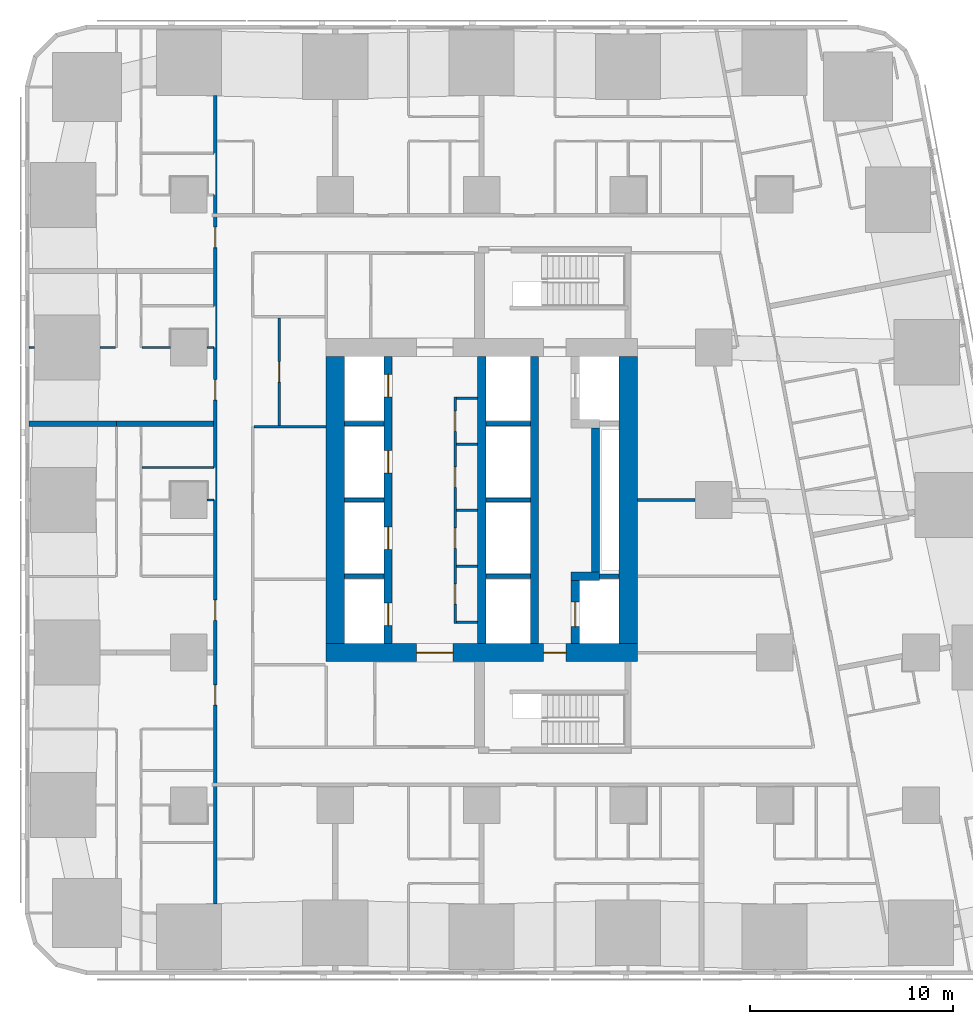
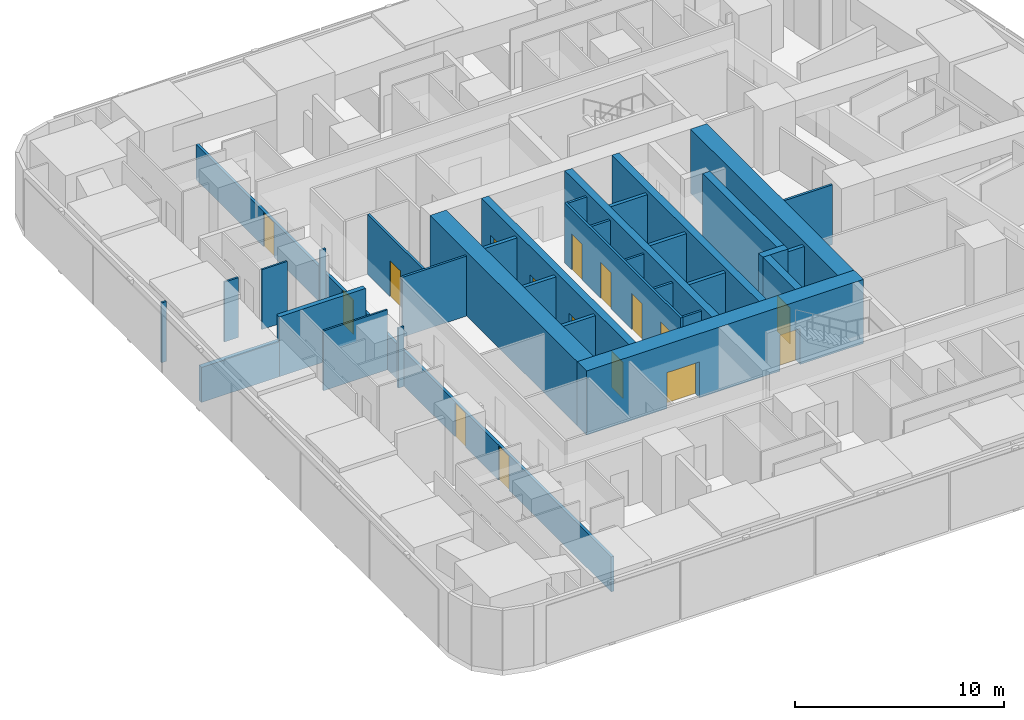
# One storey, part 7 of 18: 34 walls, 16 doors, 16 openings.
"""IFC4 building model written with IfcOpenShell, lengths in metres."""

import ifcopenshell
import ifcopenshell.guid

model = None  # the IFC model being written
_history = None  # IfcOwnerHistory: only IFC2X3 demands one
_inside = {}  # id of a spatial element -> (the spatial element, [elements in it])
_under = {}  # id of a project, library or spatial element -> (it, [spatial elements below it])
_declared = {}  # id of a project -> (the project, [libraries it declares])
_typed = {}  # id of a type object -> (the type object, [elements of that type])
_made_of = {}  # id of a material, layer set ... -> (it, [elements and type objects made of it])


def new_model(schema):
    """Start an empty IFC model of exactly this schema.

    Asked for "IFC4X3", IfcOpenShell would pick the latest addendum, in which some entities
    have other attributes; the version numbers below select the first issue.
    IFC2X3 requires an IfcOwnerHistory on every rooted entity: one is made here for all.
    """
    global model, _history
    if schema == "IFC4X3":
        model = ifcopenshell.file(schema_version=(4, 3, 0, 0))
    else:
        model = ifcopenshell.file(schema=schema)
    _inside.clear()
    _under.clear()
    _declared.clear()
    _typed.clear()
    _made_of.clear()
    _history = None
    if model.schema == "IFC2X3":
        org = make("IfcOrganization", Name="unknown")
        user = make(
            "IfcPersonAndOrganization",
            ThePerson=make("IfcPerson", FamilyName="unknown"),
            TheOrganization=org,
        )
        app = make(
            "IfcApplication",
            ApplicationDeveloper=org,
            Version="unknown",
            ApplicationFullName="unknown",
            ApplicationIdentifier="unknown",
        )
        _history = make(
            "IfcOwnerHistory",
            OwningUser=user,
            OwningApplication=app,
            ChangeAction="ADDED",
            CreationDate=0,
        )
    return model


def make(cls, **values):
    """One entity of the class cls with the attributes given. An attribute that is None is left unset."""
    return model.create_entity(
        cls, **{name: value for name, value in values.items() if value is not None}
    )


def rooted(cls, **values):
    """An entity with a GlobalId (a new one), such as an element, a storey or a relation."""
    return make(cls, GlobalId=ifcopenshell.guid.new(), OwnerHistory=_history, **values)


def si_unit(unit_type, name, prefix=None):
    """IfcSIUnit, for example si_unit("LENGTHUNIT", "METRE", prefix="MILLI")."""
    return make("IfcSIUnit", UnitType=unit_type, Prefix=prefix, Name=name)


def assignment(units):
    """IfcUnitAssignment: the units of a project."""
    return None if units is None else make("IfcUnitAssignment", Units=units)


def point(xyz):
    """IfcCartesianPoint."""
    return None if xyz is None else make("IfcCartesianPoint", Coordinates=xyz)


def direction(xyz):
    """IfcDirection."""
    return None if xyz is None else make("IfcDirection", DirectionRatios=xyz)


def frame(location, z_axis=None, x_axis=None):
    """IfcAxis2Placement3D, a coordinate frame: its origin and axes. An axis left out is left unset."""
    return make(
        "IfcAxis2Placement3D",
        Location=point(location),
        Axis=direction(z_axis),
        RefDirection=direction(x_axis),
    )


def frame_2d(location, x_axis=None):
    """IfcAxis2Placement2D, a coordinate frame in the plane: its origin and x axis."""
    return make(
        "IfcAxis2Placement2D", Location=point(location), RefDirection=direction(x_axis)
    )


def origin():
    """The frame at (0, 0, 0) with its axes left unset."""
    return frame((0.0, 0.0, 0.0))


def place(relative_to, where):
    """IfcLocalPlacement: puts the frame where relative to a parent placement (None: the world)."""
    return make(
        "IfcLocalPlacement", PlacementRelTo=relative_to, RelativePlacement=where
    )


def context(
    kind, dimensions, precision=None, world=None, true_north=None, identifier=None
):
    """IfcGeometricRepresentationContext, for example the 3D "Model" context."""
    return make(
        "IfcGeometricRepresentationContext",
        ContextIdentifier=identifier,
        ContextType=kind,
        CoordinateSpaceDimension=dimensions,
        Precision=precision,
        WorldCoordinateSystem=world,
        TrueNorth=true_north,
    )


def subcontext(parent, identifier, kind, view, scale=None):
    """IfcGeometricRepresentationSubContext, for example "Body" below "Model"."""
    return make(
        "IfcGeometricRepresentationSubContext",
        ContextIdentifier=identifier,
        ContextType=kind,
        ParentContext=parent,
        TargetScale=scale,
        TargetView=view,
    )


def project(units=None, contexts=None):
    """IfcProject with its units and contexts."""
    return rooted(
        "IfcProject",
        Name="project",
        RepresentationContexts=contexts,
        UnitsInContext=assignment(units),
    )


def spatial(cls, under=None, at=None, **own):
    """A site, building, storey or space (cls), placed at a placement, below another one or the project."""
    s = rooted(cls, ObjectPlacement=at, **own)
    if under is not None:
        _under.setdefault(under.id(), (under, []))[1].append(s)
    return s


def profile(cls, at=None, kind="AREA", **sizes):
    """A parametric profile (cls). Its sizes go by their IFC names, for example OverallWidth=200.0."""
    return make(cls, ProfileType=kind, Position=at, **sizes)


def rectangle(**sizes):
    """IfcRectangleProfileDef."""
    return profile("IfcRectangleProfileDef", **sizes)


def extrude(swept, where, along, depth):
    """IfcExtrudedAreaSolid: the profile swept, set in the frame where, extruded along a direction by depth."""
    return make(
        "IfcExtrudedAreaSolid",
        SweptArea=swept,
        Position=where,
        ExtrudedDirection=direction(along),
        Depth=depth,
    )


def shape(context_of_items, identifier, shape_type, items):
    """IfcShapeRepresentation: the items that make up one representation, for example the "Body"."""
    return make(
        "IfcShapeRepresentation",
        ContextOfItems=context_of_items,
        RepresentationIdentifier=identifier,
        RepresentationType=shape_type,
        Items=items,
    )


def material(Name=None, Category=None):
    """IfcMaterial."""
    return make("IfcMaterial", Name=Name, Category=Category)


def layer(
    of_material, thickness, ventilated=None, Name=None, Category=None, Priority=None
):
    """IfcMaterialLayer: one layer of a wall or slab, of a material (None: an air gap)."""
    return make(
        "IfcMaterialLayer",
        Material=of_material,
        LayerThickness=thickness,
        IsVentilated=ventilated,
        Name=Name,
        Category=Category,
        Priority=Priority,
    )


def layer_set(layers, Name=None):
    """IfcMaterialLayerSet."""
    return make("IfcMaterialLayerSet", MaterialLayers=layers, LayerSetName=Name)


def made_of(thing, what):
    """Note that an element or type object is made of a material, layer set ...; save() writes the relation."""
    if what is not None:
        _made_of.setdefault(what.id(), (what, []))[1].append(thing)
    return thing


def type_object(cls, material=None, **own):
    """A type object (cls), such as IfcWallType, which elements share."""
    return made_of(rooted(cls, **own), material)


def element(
    cls,
    number,
    at=None,
    inside=None,
    cuts=None,
    type_object=None,
    material=None,
    context=None,
    identifier="Body",
    shape_type=None,
    held_by="IfcProductDefinitionShape",
    body=None,
    shapes=None,
    **own,
):
    """One element of the class cls, such as IfcWall. Its Tag is "e" and its number.

    at: its placement. inside: the storey or other place that contains it. cuts: it is an
    opening in that element (IfcRelVoidsElement). A single representation is given by context,
    identifier, shape_type and body (its items); several are given by shapes. held_by: the class
    of the entity that holds the representations. save() writes the other relations.
    """
    e = rooted(cls, Tag="e%d" % number, ObjectPlacement=at, **own)
    if body is not None:
        shapes = [shape(context, identifier, shape_type, body)]
    if shapes is not None:
        e.Representation = make(held_by, Representations=shapes)
    if inside is not None:
        _inside.setdefault(inside.id(), (inside, []))[1].append(e)
    if cuts is not None:
        rooted(
            "IfcRelVoidsElement", RelatingBuildingElement=cuts, RelatedOpeningElement=e
        )
    if type_object is not None:
        _typed.setdefault(type_object.id(), (type_object, []))[1].append(e)
    return made_of(e, material)


def fill(opening, filler):
    """IfcRelFillsElement: the door or window that sits in an opening."""
    return rooted(
        "IfcRelFillsElement",
        RelatingOpeningElement=opening,
        RelatedBuildingElement=filler,
    )


def aggregate(whole, parts):
    """IfcRelAggregates: a whole, such as a stair, and the parts it consists of."""
    return rooted("IfcRelAggregates", RelatingObject=whole, RelatedObjects=parts)


def save(model, path):
    """Write the relations noted so far, then the file.

    IfcRelAggregates (storeys below a building ...), IfcRelContainedInSpatialStructure (elements
    in a storey), IfcRelDefinesByType, IfcRelAssociatesMaterial and IfcRelDeclares: one each for
    every whole, place, type object, material and project.
    """
    for whole, parts in _under.values():
        aggregate(whole, parts)
    for where, things in _inside.values():
        rooted(
            "IfcRelContainedInSpatialStructure",
            RelatedElements=things,
            RelatingStructure=where,
        )
    for kind, things in _typed.values():
        rooted("IfcRelDefinesByType", RelatedObjects=things, RelatingType=kind)
    for what, things in _made_of.values():
        rooted("IfcRelAssociatesMaterial", RelatedObjects=things, RelatingMaterial=what)
    for by, libraries in _declared.values():
        rooted("IfcRelDeclares", RelatingContext=by, RelatedDefinitions=libraries)
    model.write(path)


model = new_model("IFC4")

# Units and contexts
model_context = context("Model", 3, precision=1e-05, world=origin(), true_north=direction((0.0, 1.0)))
body_context = subcontext(model_context, "Body", "Model", "MODEL_VIEW")
ifc_project = project(units=[si_unit("LENGTHUNIT", "METRE"), si_unit("AREAUNIT", "SQUARE_METRE"), si_unit("VOLUMEUNIT", "CUBIC_METRE"), si_unit("PLANEANGLEUNIT", "RADIAN"), si_unit("MASSUNIT", "GRAM", prefix="KILO")], contexts=[model_context])

# Site, building, storey
site_placement = place(None, origin())
site = spatial("IfcSite", under=ifc_project, at=site_placement, CompositionType="ELEMENT")
building_placement = place(site_placement, origin())
building = spatial("IfcBuilding", under=site, at=building_placement, Name="Sheger Commons Tower", CompositionType="ELEMENT")
storey_placement = place(building_placement, frame((0.0, 0.0, 20.0)))
storey = spatial("IfcBuildingStorey", under=building, at=storey_placement, Name="L04", CompositionType="ELEMENT", Elevation=20.0)

# Wall, openings, doors
ifc_material_1 = material(Name="Concrete C50/60", Category="concrete")
ifc_layer_1 = layer(ifc_material_1, 0.39990234375)
ifc_layer_set_1 = layer_set([ifc_layer_1], Name="CORE INNER WALL 400")
wall_type_1 = type_object("IfcWallType", Name="CORE INNER WALL 400", PredefinedType="SHEAR", material=ifc_layer_set_1)
wall_1_placement = place(storey_placement, frame((17.0, 15.449951171875, 0.0), z_axis=(0.0, 0.0, 1.0), x_axis=(0.0, 1.0, 0.0)))
wall_1 = element("IfcWall", 1, at=wall_1_placement, inside=storey, type_object=wall_type_1, Name="Core inner wall A L04", PredefinedType="SHEAR", context=body_context, shape_type="SweptSolid", body=[
    extrude(rectangle(XDim=14.10009765625, YDim=0.39990234375, at=frame_2d((7.050048828125, 0.0))), origin(), (0.0, 0.0, 1.0), 3.75),
])
opening_1_placement = place(wall_1_placement, frame((0.875, 0.0, 0.0)))
opening_1 = element("IfcOpeningElement", 2, at=opening_1_placement, cuts=wall_1, Name="Opening LD", PredefinedType="OPENING", context=body_context, shape_type="SweptSolid", body=[
    extrude(rectangle(XDim=1.10009765625, YDim=2.10009765625, at=frame_2d((0.550048828125, 1.050048828125))), frame((0.0, 0.2099609375, 0.0), z_axis=(0.0, -1.0, 0.0), x_axis=(1.0, 0.0, 0.0)), (0.0, 0.0, 1.0), 0.419921875),
])
opening_2_placement = place(wall_1_placement, frame((4.625, 0.0, 0.0)))
opening_2 = element("IfcOpeningElement", 3, at=opening_2_placement, cuts=wall_1, Name="Opening LD", PredefinedType="OPENING", context=body_context, shape_type="SweptSolid", body=[
    extrude(rectangle(XDim=1.10009765625, YDim=2.10009765625, at=frame_2d((0.550048828125, 1.050048828125))), frame((0.0, 0.2099609375, 0.0), z_axis=(0.0, -1.0, 0.0), x_axis=(1.0, 0.0, 0.0)), (0.0, 0.0, 1.0), 0.419921875),
])
opening_3_placement = place(wall_1_placement, frame((8.375, 0.0, 0.0)))
opening_3 = element("IfcOpeningElement", 4, at=opening_3_placement, cuts=wall_1, Name="Opening LD", PredefinedType="OPENING", context=body_context, shape_type="SweptSolid", body=[
    extrude(rectangle(XDim=1.10009765625, YDim=2.10009765625, at=frame_2d((0.550048828125, 1.050048828125))), frame((0.0, 0.2099609375, 0.0), z_axis=(0.0, -1.0, 0.0), x_axis=(1.0, 0.0, 0.0)), (0.0, 0.0, 1.0), 0.419921875),
])
opening_4_placement = place(wall_1_placement, frame((12.125, 0.0, 0.0)))
opening_4 = element("IfcOpeningElement", 5, at=opening_4_placement, cuts=wall_1, Name="Opening LD", PredefinedType="OPENING", context=body_context, shape_type="SweptSolid", body=[
    extrude(rectangle(XDim=1.10009765625, YDim=2.10009765625, at=frame_2d((0.550048828125, 1.050048828125))), frame((0.0, 0.2099609375, 0.0), z_axis=(0.0, -1.0, 0.0), x_axis=(1.0, 0.0, 0.0)), (0.0, 0.0, 1.0), 0.419921875),
])
ifc_material_2 = material(Name="Steel door set, fire rated", Category="steel")
door_type_1 = type_object("IfcDoorType", Name="LIFT LANDING DOOR 1100x2100", OperationType="DOUBLE_DOOR_SLIDING", PredefinedType="DOOR", material=ifc_material_2)
door_1_placement = place(opening_1_placement, origin())
door_1 = element("IfcDoor", 6, at=door_1_placement, inside=storey, type_object=door_type_1, Name="Lift LA1 landing door", OperationType="DOUBLE_DOOR_SLIDING", OverallHeight=2.10009765625, OverallWidth=1.10009765625, PredefinedType="DOOR", context=body_context, shape_type="SweptSolid", body=[
    extrude(rectangle(XDim=1.10009765625, YDim=2.10009765625, at=frame_2d((0.550048828125, 1.050048828125))), frame((0.0, 0.02490234375, 0.0), z_axis=(0.0, -1.0, 0.0), x_axis=(1.0, 0.0, 0.0)), (0.0, 0.0, 1.0), 0.050048828125),
])
fill(opening_1, door_1)
door_2_placement = place(opening_2_placement, origin())
door_2 = element("IfcDoor", 7, at=door_2_placement, inside=storey, type_object=door_type_1, Name="Lift LA2 landing door", OperationType="DOUBLE_DOOR_SLIDING", OverallHeight=2.10009765625, OverallWidth=1.10009765625, PredefinedType="DOOR", context=body_context, shape_type="SweptSolid", body=[
    extrude(rectangle(XDim=1.10009765625, YDim=2.10009765625, at=frame_2d((0.550048828125, 1.050048828125))), frame((0.0, 0.02490234375, 0.0), z_axis=(0.0, -1.0, 0.0), x_axis=(1.0, 0.0, 0.0)), (0.0, 0.0, 1.0), 0.050048828125),
])
fill(opening_2, door_2)
door_3_placement = place(opening_3_placement, origin())
door_3 = element("IfcDoor", 8, at=door_3_placement, inside=storey, type_object=door_type_1, Name="Lift LA3 landing door", OperationType="DOUBLE_DOOR_SLIDING", OverallHeight=2.10009765625, OverallWidth=1.10009765625, PredefinedType="DOOR", context=body_context, shape_type="SweptSolid", body=[
    extrude(rectangle(XDim=1.10009765625, YDim=2.10009765625, at=frame_2d((0.550048828125, 1.050048828125))), frame((0.0, 0.02490234375, 0.0), z_axis=(0.0, -1.0, 0.0), x_axis=(1.0, 0.0, 0.0)), (0.0, 0.0, 1.0), 0.050048828125),
])
fill(opening_3, door_3)
door_4_placement = place(opening_4_placement, origin())
door_4 = element("IfcDoor", 9, at=door_4_placement, inside=storey, type_object=door_type_1, Name="Lift LA4 landing door", OperationType="DOUBLE_DOOR_SLIDING", OverallHeight=2.10009765625, OverallWidth=1.10009765625, PredefinedType="DOOR", context=body_context, shape_type="SweptSolid", body=[
    extrude(rectangle(XDim=1.10009765625, YDim=2.10009765625, at=frame_2d((0.550048828125, 1.050048828125))), frame((0.0, 0.02490234375, 0.0), z_axis=(0.0, -1.0, 0.0), x_axis=(1.0, 0.0, 0.0)), (0.0, 0.0, 1.0), 0.050048828125),
])
fill(opening_4, door_4)

# Walls
for number, where, z_axis, x_axis, name in (
    (10, (21.60009765625, 15.449951171875, 0.0), (0.0, 0.0, 1.0), (0.0, 1.0, 0.0), "Core inner wall L L04"),
    (11, (24.199951171875, 15.449951171875, 0.0), (0.0, 0.0, 1.0), (0.0, 1.0, 0.0), "Core inner wall B L04"),
):
    element("IfcWall", number, at=place(storey_placement, frame(where, z_axis=z_axis, x_axis=x_axis)), inside=storey, type_object=wall_type_1, Name=name, PredefinedType="SHEAR", context=body_context, shape_type="SweptSolid", body=[
        extrude(rectangle(XDim=14.10009765625, YDim=0.39990234375, at=frame_2d((7.050048828125, 0.0))), origin(), (0.0, 0.0, 1.0), 3.75),
    ])

# Wall, opening, door
wall_2_placement = place(storey_placement, frame((26.199951171875, 15.449951171875, 0.0), z_axis=(0.0, 0.0, 1.0), x_axis=(0.0, 1.0, 0.0)))
wall_2 = element("IfcWall", 12, at=wall_2_placement, inside=storey, type_object=wall_type_1, Name="Core inner wall F L04", PredefinedType="SHEAR", context=body_context, shape_type="SweptSolid", body=[
    extrude(rectangle(XDim=3.10009765625, YDim=0.39990234375, at=frame_2d((1.550048828125, 0.0))), origin(), (0.0, 0.0, 1.0), 3.75),
])
opening_5_placement = place(wall_2_placement, frame((0.824951171875, 0.0, 0.0)))
opening_5 = element("IfcOpeningElement", 13, at=opening_5_placement, cuts=wall_2, Name="Opening LD2", PredefinedType="OPENING", context=body_context, shape_type="SweptSolid", body=[
    extrude(rectangle(XDim=1.199951171875, YDim=2.10009765625, at=frame_2d((0.60009765625, 1.050048828125))), frame((0.0, 0.2099609375, 0.0), z_axis=(0.0, -1.0, 0.0), x_axis=(1.0, 0.0, 0.0)), (0.0, 0.0, 1.0), 0.419921875),
])
ifc_material_3 = material(Name="Steel door set, fire rated", Category="steel")
door_type_2 = type_object("IfcDoorType", Name="FIREFIGHTING LIFT LANDING DOOR 1200x2100", OperationType="DOUBLE_DOOR_SLIDING", PredefinedType="DOOR", material=ifc_material_3)
door_5_placement = place(opening_5_placement, origin())
door_5 = element("IfcDoor", 14, at=door_5_placement, inside=storey, type_object=door_type_2, Name="Lift FL1 landing door", OperationType="DOUBLE_DOOR_SLIDING", OverallHeight=2.10009765625, OverallWidth=1.199951171875, PredefinedType="DOOR", context=body_context, shape_type="SweptSolid", body=[
    extrude(rectangle(XDim=1.199951171875, YDim=2.10009765625, at=frame_2d((0.60009765625, 1.050048828125))), frame((0.0, 0.02490234375, 0.0), z_axis=(0.0, -1.0, 0.0), x_axis=(1.0, 0.0, 0.0)), (0.0, 0.0, 1.0), 0.050048828125),
])
fill(opening_5, door_5)

# Walls
wall_3_placement = place(storey_placement, frame((26.0, 18.75, 0.0), z_axis=(0.0, 0.0, 1.0), x_axis=(1.0, 0.0, 0.0)))
element("IfcWall", 15, at=wall_3_placement, inside=storey, type_object=wall_type_1, Name="Core inner wall F south return L04", PredefinedType="SHEAR", context=body_context, shape_type="SweptSolid", body=[
    extrude(rectangle(XDim=1.39990234375, YDim=0.39990234375, at=frame_2d((0.699951171875, 0.0))), origin(), (0.0, 0.0, 1.0), 3.75),
])
wall_4_placement = place(storey_placement, frame((27.199951171875, 18.949951171875, 0.0), z_axis=(0.0, 0.0, 1.0), x_axis=(0.0, 1.0, 0.0)))
element("IfcWall", 16, at=wall_4_placement, inside=storey, type_object=wall_type_1, Name="Core inner wall F middle L04", PredefinedType="SHEAR", context=body_context, shape_type="SweptSolid", body=[
    extrude(rectangle(XDim=7.10009765625, YDim=0.39990234375, at=frame_2d((3.550048828125, 0.0))), origin(), (0.0, 0.0, 1.0), 3.75),
])

# Wall, openings, doors
ifc_material_4 = material(Name="Concrete C50/60", Category="concrete")
ifc_layer_2 = layer(ifc_material_4, 0.89990234375)
ifc_layer_set_2 = layer_set([ifc_layer_2], Name="CORE WALL 900")
wall_type_2 = type_object("IfcWallType", Name="CORE WALL 900", PredefinedType="SHEAR", material=ifc_layer_set_2)
wall_5_placement = place(storey_placement, frame((13.949951171875, 15.0, 0.0), z_axis=(0.0, 0.0, 1.0), x_axis=(1.0, 0.0, 0.0)))
wall_5 = element("IfcWall", 17, at=wall_5_placement, inside=storey, type_object=wall_type_2, Name="Core wall south L04", PredefinedType="SHEAR", context=body_context, shape_type="SweptSolid", body=[
    extrude(rectangle(XDim=15.300048828125, YDim=0.89990234375, at=frame_2d((7.64990234375, 0.0))), origin(), (0.0, 0.0, 1.0), 3.75),
])
opening_6_placement = place(wall_5_placement, frame((4.449951171875, 0.0, 0.0)))
opening_6 = element("IfcOpeningElement", 18, at=opening_6_placement, cuts=wall_5, Name="Opening D6", PredefinedType="OPENING", context=body_context, shape_type="SweptSolid", body=[
    extrude(rectangle(XDim=1.800048828125, YDim=2.10009765625, at=frame_2d((0.89990234375, 1.050048828125))), frame((0.0, 0.4599609375, 0.0), z_axis=(0.0, -1.0, 0.0), x_axis=(1.0, 0.0, 0.0)), (0.0, 0.0, 1.0), 0.919921875),
])
opening_7_placement = place(wall_5_placement, frame((10.699951171875, 0.0, 0.0)))
opening_7 = element("IfcOpeningElement", 19, at=opening_7_placement, cuts=wall_5, Name="Opening D5", PredefinedType="OPENING", context=body_context, shape_type="SweptSolid", body=[
    extrude(rectangle(XDim=1.10009765625, YDim=2.10009765625, at=frame_2d((0.550048828125, 1.050048828125))), frame((0.0, 0.4599609375, 0.0), z_axis=(0.0, -1.0, 0.0), x_axis=(1.0, 0.0, 0.0)), (0.0, 0.0, 1.0), 0.919921875),
])
ifc_material_5 = material(Name="Steel door set, fire rated", Category="steel")
door_type_3 = type_object("IfcDoorType", Name="LOBBY DOUBLE DOOR 1800x2100", OperationType="DOUBLE_DOOR_SINGLE_SWING", PredefinedType="DOOR", material=ifc_material_5)
door_6_placement = place(opening_6_placement, origin())
door_6 = element("IfcDoor", 20, at=door_6_placement, inside=storey, type_object=door_type_3, Name="Lift lobby door", OperationType="DOUBLE_DOOR_SINGLE_SWING", OverallHeight=2.10009765625, OverallWidth=1.800048828125, PredefinedType="DOOR", context=body_context, shape_type="SweptSolid", body=[
    extrude(rectangle(XDim=1.800048828125, YDim=2.10009765625, at=frame_2d((0.89990234375, 1.050048828125))), frame((0.0, 0.02490234375, 0.0), z_axis=(0.0, -1.0, 0.0), x_axis=(1.0, 0.0, 0.0)), (0.0, 0.0, 1.0), 0.050048828125),
])
fill(opening_6, door_6)
ifc_material_6 = material(Name="Steel door set, fire rated", Category="steel")
door_type_4 = type_object("IfcDoorType", Name="STAIR DOOR 1100x2100", OperationType="NOTDEFINED", PredefinedType="DOOR", material=ifc_material_6)
door_7_placement = place(opening_7_placement, origin())
door_7 = element("IfcDoor", 21, at=door_7_placement, inside=storey, type_object=door_type_4, Name="Fire-fighting lobby door", OperationType="SINGLE_SWING_RIGHT", OverallHeight=2.10009765625, OverallWidth=1.10009765625, PredefinedType="DOOR", context=body_context, shape_type="SweptSolid", body=[
    extrude(rectangle(XDim=1.10009765625, YDim=2.10009765625, at=frame_2d((0.550048828125, 1.050048828125))), frame((0.0, 0.02490234375, 0.0), z_axis=(0.0, -1.0, 0.0), x_axis=(1.0, 0.0, 0.0)), (0.0, 0.0, 1.0), 0.050048828125),
])
fill(opening_7, door_7)

# Walls
for number, where, z_axis, x_axis, name in (
    (22, (14.39990234375, 15.449951171875, 0.0), (0.0, 0.0, 1.0), (0.0, 1.0, 0.0), "Core wall west L04"),
    (23, (28.800048828125, 15.449951171875, 0.0), (0.0, 0.0, 1.0), (0.0, 1.0, 0.0), "Core wall east L04"),
):
    element("IfcWall", number, at=place(storey_placement, frame(where, z_axis=z_axis, x_axis=x_axis)), inside=storey, type_object=wall_type_2, Name=name, PredefinedType="SHEAR", context=body_context, shape_type="SweptSolid", body=[
        extrude(rectangle(XDim=14.10009765625, YDim=0.89990234375, at=frame_2d((7.050048828125, 0.0))), origin(), (0.0, 0.0, 1.0), 3.75),
    ])

# Wall, openings, doors
ifc_material_7 = material(Name="Hollow concrete block masonry, skimmed both sides", Category="masonry")
ifc_layer_3 = layer(ifc_material_7, 0.14990234375)
ifc_layer_set_3 = layer_set([ifc_layer_3], Name="CORRIDOR WALL 150")
wall_type_3 = type_object("IfcWallType", Name="CORRIDOR WALL 150", PredefinedType="SOLIDWALL", material=ifc_layer_set_3)
wall_6_placement = place(storey_placement, frame((8.5, 2.6259765625, 0.0), z_axis=(0.0, 0.0, 1.0), x_axis=(0.0, 1.0, 0.0)))
wall_6 = element("IfcWall", 24, at=wall_6_placement, inside=storey, type_object=wall_type_3, Name="Corridor wall L04", PredefinedType="SOLIDWALL", context=body_context, shape_type="SweptSolid", body=[
    extrude(rectangle(XDim=39.77294921875, YDim=0.14990234375, at=frame_2d((19.886474609375, 0.0))), origin(), (0.0, 0.0, 1.0), 2.050048828125),
])
opening_8_placement = place(wall_6_placement, frame((9.785888671875, 0.0, 0.0)))
opening_8 = element("IfcOpeningElement", 25, at=opening_8_placement, cuts=wall_6, Name="Opening D10", PredefinedType="OPENING", context=body_context, shape_type="SweptSolid", body=[
    extrude(rectangle(XDim=1.0, YDim=2.0, at=frame_2d((0.5, 1.0))), frame((0.0, 0.0849609375, 0.0), z_axis=(0.0, -1.0, 0.0), x_axis=(1.0, 0.0, 0.0)), (0.0, 0.0, 1.0), 0.169921875),
])
opening_9_placement = place(wall_6_placement, frame((13.9609375, 0.0, 0.0)))
opening_9 = element("IfcOpeningElement", 26, at=opening_9_placement, cuts=wall_6, Name="Opening D10", PredefinedType="OPENING", context=body_context, shape_type="SweptSolid", body=[
    extrude(rectangle(XDim=1.0, YDim=2.0, at=frame_2d((0.5, 1.0))), frame((0.0, 0.0849609375, 0.0), z_axis=(0.0, -1.0, 0.0), x_axis=(1.0, 0.0, 0.0)), (0.0, 0.0, 1.0), 0.169921875),
])
opening_10_placement = place(wall_6_placement, frame((24.787109375, 0.0, 0.0)))
opening_10 = element("IfcOpeningElement", 27, at=opening_10_placement, cuts=wall_6, Name="Opening D10", PredefinedType="OPENING", context=body_context, shape_type="SweptSolid", body=[
    extrude(rectangle(XDim=1.0, YDim=2.0, at=frame_2d((0.5, 1.0))), frame((0.0, 0.0849609375, 0.0), z_axis=(0.0, -1.0, 0.0), x_axis=(1.0, 0.0, 0.0)), (0.0, 0.0, 1.0), 0.169921875),
])
opening_11_placement = place(wall_6_placement, frame((32.287109375, 0.0, 0.0)))
opening_11 = element("IfcOpeningElement", 28, at=opening_11_placement, cuts=wall_6, Name="Opening D10", PredefinedType="OPENING", context=body_context, shape_type="SweptSolid", body=[
    extrude(rectangle(XDim=1.0, YDim=2.0, at=frame_2d((0.5, 1.0))), frame((0.0, 0.0849609375, 0.0), z_axis=(0.0, -1.0, 0.0), x_axis=(1.0, 0.0, 0.0)), (0.0, 0.0, 1.0), 0.169921875),
])
ifc_material_8 = material(Name="Steel door set, fire rated", Category="steel")
door_type_5 = type_object("IfcDoorType", Name="FLAT ENTRANCE DOOR 1000x2000", OperationType="NOTDEFINED", PredefinedType="DOOR", material=ifc_material_8)
door_8_placement = place(opening_8_placement, origin())
door_8 = element("IfcDoor", 29, at=door_8_placement, inside=storey, type_object=door_type_5, Name="Flat entrance door", OperationType="SINGLE_SWING_LEFT", OverallHeight=2.0, OverallWidth=1.0, PredefinedType="DOOR", context=body_context, shape_type="SweptSolid", body=[
    extrude(rectangle(XDim=1.0, YDim=2.0, at=frame_2d((0.5, 1.0))), frame((0.0, 0.02490234375, 0.0), z_axis=(0.0, -1.0, 0.0), x_axis=(1.0, 0.0, 0.0)), (0.0, 0.0, 1.0), 0.050048828125),
])
fill(opening_8, door_8)
door_9_placement = place(opening_9_placement, origin())
door_9 = element("IfcDoor", 30, at=door_9_placement, inside=storey, type_object=door_type_5, Name="Flat entrance door", OperationType="SINGLE_SWING_RIGHT", OverallHeight=2.0, OverallWidth=1.0, PredefinedType="DOOR", context=body_context, shape_type="SweptSolid", body=[
    extrude(rectangle(XDim=1.0, YDim=2.0, at=frame_2d((0.5, 1.0))), frame((0.0, 0.02490234375, 0.0), z_axis=(0.0, -1.0, 0.0), x_axis=(1.0, 0.0, 0.0)), (0.0, 0.0, 1.0), 0.050048828125),
])
fill(opening_9, door_9)
door_10_placement = place(opening_10_placement, origin())
door_10 = element("IfcDoor", 31, at=door_10_placement, inside=storey, type_object=door_type_5, Name="Flat entrance door", OperationType="SINGLE_SWING_LEFT", OverallHeight=2.0, OverallWidth=1.0, PredefinedType="DOOR", context=body_context, shape_type="SweptSolid", body=[
    extrude(rectangle(XDim=1.0, YDim=2.0, at=frame_2d((0.5, 1.0))), frame((0.0, 0.02490234375, 0.0), z_axis=(0.0, -1.0, 0.0), x_axis=(1.0, 0.0, 0.0)), (0.0, 0.0, 1.0), 0.050048828125),
])
fill(opening_10, door_10)
door_11_placement = place(opening_11_placement, origin())
door_11 = element("IfcDoor", 32, at=door_11_placement, inside=storey, type_object=door_type_5, Name="Flat entrance door", OperationType="SINGLE_SWING_LEFT", OverallHeight=2.0, OverallWidth=1.0, PredefinedType="DOOR", context=body_context, shape_type="SweptSolid", body=[
    extrude(rectangle(XDim=1.0, YDim=2.0, at=frame_2d((0.5, 1.0))), frame((0.0, 0.02490234375, 0.0), z_axis=(0.0, -1.0, 0.0), x_axis=(1.0, 0.0, 0.0)), (0.0, 0.0, 1.0), 0.050048828125),
])
fill(opening_11, door_11)

# Walls
ifc_material_9 = material(Name="Dense concrete block masonry, plastered both sides (separating wall between flats)", Category="masonry")
ifc_layer_4 = layer(ifc_material_9, 0.25)
ifc_layer_set_4 = layer_set([ifc_layer_4], Name="DEMISING WALL 250")
wall_type_4 = type_object("IfcWallType", Name="DEMISING WALL 250", PredefinedType="SOLIDWALL", material=ifc_layer_set_4)
wall_7_placement = place(storey_placement, frame((-0.64990234375, 26.25, 0.0), z_axis=(0.0, 0.0, 1.0), x_axis=(1.0, 0.0, 0.0)))
element("IfcWall", 33, at=wall_7_placement, inside=storey, type_object=wall_type_4, Name="Demising wall L04", PredefinedType="SOLIDWALL", context=body_context, shape_type="SweptSolid", body=[
    extrude(rectangle(XDim=4.2998046875, YDim=0.25, at=frame_2d((2.14990234375, 0.0))), origin(), (0.0, 0.0, 1.0), 2.050048828125),
])
wall_8_placement = place(storey_placement, frame((3.64990234375, 26.25, 0.0), z_axis=(0.0, 0.0, 1.0), x_axis=(1.0, 0.0, 0.0)))
element("IfcWall", 34, at=wall_8_placement, inside=storey, type_object=wall_type_4, Name="Demising wall L04", PredefinedType="SOLIDWALL", context=body_context, shape_type="SweptSolid", body=[
    extrude(rectangle(XDim=4.775146484375, YDim=0.25, at=frame_2d((2.3876953125, 0.0))), origin(), (0.0, 0.0, 1.0), 3.5),
])
ifc_material_10 = material(Name="Gypsum board on steel studs", Category="steel")
ifc_layer_5 = layer(ifc_material_10, 0.10009765625)
ifc_layer_set_5 = layer_set([ifc_layer_5], Name="PARTITION 100")
wall_type_5 = type_object("IfcWallType", Name="PARTITION 100", PredefinedType="PARTITIONING", material=ifc_layer_set_5)
wall_9_placement = place(storey_placement, frame((8.10107421875, 22.5, 0.0), z_axis=(0.0, 0.0, 1.0), x_axis=(1.0, 0.0, 0.0)))
element("IfcWall", 35, at=wall_9_placement, inside=storey, type_object=wall_type_5, Name="Partition L04", PredefinedType="PARTITIONING", context=body_context, shape_type="SweptSolid", body=[
    extrude(rectangle(XDim=0.323974609375, YDim=0.10009765625, at=frame_2d((0.162109375, 0.0))), origin(), (0.0, 0.0, 1.0), 3.5),
])
wall_10_placement = place(storey_placement, frame((4.89990234375, 24.10009765625, 0.0), z_axis=(0.0, 0.0, 1.0), x_axis=(1.0, 0.0, 0.0)))
element("IfcWall", 36, at=wall_10_placement, inside=storey, type_object=wall_type_5, Name="Partition L04", PredefinedType="PARTITIONING", context=body_context, shape_type="SweptSolid", body=[
    extrude(rectangle(XDim=3.525146484375, YDim=0.10009765625, at=frame_2d((1.7626953125, 0.0))), origin(), (0.0, 0.0, 1.0), 3.5),
])
wall_11_placement = place(storey_placement, frame((-0.64990234375, 30.0, 0.0), z_axis=(0.0, 0.0, 1.0), x_axis=(1.0, 0.0, 0.0)))
element("IfcWall", 37, at=wall_11_placement, inside=storey, type_object=wall_type_5, Name="Partition L04", PredefinedType="PARTITIONING", context=body_context, shape_type="SweptSolid", body=[
    extrude(rectangle(XDim=0.27392578125, YDim=0.10009765625, at=frame_2d((0.136962890625, 0.0))), origin(), (0.0, 0.0, 1.0), 3.5),
])
wall_12_placement = place(storey_placement, frame((2.825927734375, 30.0, 0.0), z_axis=(0.0, 0.0, 1.0), x_axis=(1.0, 0.0, 0.0)))
element("IfcWall", 38, at=wall_12_placement, inside=storey, type_object=wall_type_5, Name="Partition L04", PredefinedType="PARTITIONING", context=body_context, shape_type="SweptSolid", body=[
    extrude(rectangle(XDim=0.774169921875, YDim=0.10009765625, at=frame_2d((0.38720703125, 0.0))), origin(), (0.0, 0.0, 1.0), 3.5),
])
wall_13_placement = place(storey_placement, frame((4.89990234375, 30.0, 0.0), z_axis=(0.0, 0.0, 1.0), x_axis=(1.0, 0.0, 0.0)))
element("IfcWall", 39, at=wall_13_placement, inside=storey, type_object=wall_type_5, Name="Partition L04", PredefinedType="PARTITIONING", context=body_context, shape_type="SweptSolid", body=[
    extrude(rectangle(XDim=1.399169921875, YDim=0.10009765625, at=frame_2d((0.69970703125, 0.0))), origin(), (0.0, 0.0, 1.0), 3.5),
])
wall_14_placement = place(storey_placement, frame((8.10107421875, 30.0, 0.0), z_axis=(0.0, 0.0, 1.0), x_axis=(1.0, 0.0, 0.0)))
element("IfcWall", 40, at=wall_14_placement, inside=storey, type_object=wall_type_5, Name="Partition L04", PredefinedType="PARTITIONING", context=body_context, shape_type="SweptSolid", body=[
    extrude(rectangle(XDim=0.323974609375, YDim=0.10009765625, at=frame_2d((0.162109375, 0.0))), origin(), (0.0, 0.0, 1.0), 3.5),
])

# Wall, opening, door
ifc_material_11 = material(Name="Gypsum board on steel studs, two layers each side, fire rated", Category="steel")
ifc_layer_6 = layer(ifc_material_11, 0.125)
ifc_layer_set_6 = layer_set([ifc_layer_6], Name="SERVICE WALL 125")
wall_type_6 = type_object("IfcWallType", Name="SERVICE WALL 125", PredefinedType="PARTITIONING", material=ifc_layer_set_6)
wall_15_placement = place(storey_placement, frame((11.64990234375, 26.1630859375, 0.0), z_axis=(0.0, 0.0, 1.0), x_axis=(0.0, 1.0, 0.0)))
wall_15 = element("IfcWall", 41, at=wall_15_placement, inside=storey, type_object=wall_type_6, Name="Service room wall L04", PredefinedType="PARTITIONING", context=body_context, shape_type="SweptSolid", body=[
    extrude(rectangle(XDim=5.27490234375, YDim=0.125, at=frame_2d((2.637451171875, 0.0))), origin(), (0.0, 0.0, 1.0), 3.5),
])
opening_12_placement = place(wall_15_placement, frame((2.136962890625, 0.0, 0.0)))
opening_12 = element("IfcOpeningElement", 42, at=opening_12_placement, cuts=wall_15, Name="Opening D4", PredefinedType="OPENING", context=body_context, shape_type="SweptSolid", body=[
    extrude(rectangle(XDim=1.0, YDim=2.10009765625, at=frame_2d((0.5, 1.050048828125))), frame((0.0, 0.072509765625, 0.0), z_axis=(0.0, -1.0, 0.0), x_axis=(1.0, 0.0, 0.0)), (0.0, 0.0, 1.0), 0.14501953125),
])
ifc_material_12 = material(Name="Steel door set, fire rated", Category="steel")
door_type_6 = type_object("IfcDoorType", Name="SERVICE DOOR 1000x2100", OperationType="NOTDEFINED", PredefinedType="DOOR", material=ifc_material_12)
door_12_placement = place(opening_12_placement, origin())
door_12 = element("IfcDoor", 43, at=door_12_placement, inside=storey, type_object=door_type_6, Name="Laundry and drying room door", OperationType="SINGLE_SWING_LEFT", OverallHeight=2.10009765625, OverallWidth=1.0, PredefinedType="DOOR", context=body_context, shape_type="SweptSolid", body=[
    extrude(rectangle(XDim=1.0, YDim=2.10009765625, at=frame_2d((0.5, 1.050048828125))), frame((0.0, 0.02490234375, 0.0), z_axis=(0.0, -1.0, 0.0), x_axis=(1.0, 0.0, 0.0)), (0.0, 0.0, 1.0), 0.050048828125),
])
fill(opening_12, door_12)

# Walls
wall_16_placement = place(storey_placement, frame((10.4130859375, 26.10009765625, 0.0), z_axis=(0.0, 0.0, 1.0), x_axis=(1.0, 0.0, 0.0)))
element("IfcWall", 44, at=wall_16_placement, inside=storey, type_object=wall_type_6, Name="Service room wall L04", PredefinedType="PARTITIONING", context=body_context, shape_type="SweptSolid", body=[
    extrude(rectangle(XDim=3.536865234375, YDim=0.125, at=frame_2d((1.7685546875, 0.0))), origin(), (0.0, 0.0, 1.0), 3.5),
])
wall_17_placement = place(storey_placement, frame((29.25, 22.5, 0.0), z_axis=(0.0, 0.0, 1.0), x_axis=(1.0, 0.0, 0.0)))
element("IfcWall", 45, at=wall_17_placement, inside=storey, type_object=wall_type_6, Name="Service room wall L04", PredefinedType="PARTITIONING", context=body_context, shape_type="SweptSolid", body=[
    extrude(rectangle(XDim=2.84912109375, YDim=0.125, at=frame_2d((1.424560546875, 0.0))), origin(), (0.0, 0.0, 1.0), 3.5),
])

# Wall, openings, doors
wall_18_placement = place(storey_placement, frame((20.300048828125, 16.43798828125, 0.0), z_axis=(0.0, 0.0, 1.0), x_axis=(0.0, 1.0, 0.0)))
wall_18 = element("IfcWall", 46, at=wall_18_placement, inside=storey, type_object=wall_type_6, Name="Service room wall L04", PredefinedType="PARTITIONING", context=body_context, shape_type="SweptSolid", body=[
    extrude(rectangle(XDim=11.1240234375, YDim=0.125, at=frame_2d((5.56201171875, 0.0))), origin(), (0.0, 0.0, 1.0), 3.5),
])
opening_13_placement = place(wall_18_placement, frame((0.93701171875, 0.0, 0.0)))
opening_13 = element("IfcOpeningElement", 47, at=opening_13_placement, cuts=wall_18, Name="Opening D4", PredefinedType="OPENING", context=body_context, shape_type="SweptSolid", body=[
    extrude(rectangle(XDim=1.0, YDim=2.10009765625, at=frame_2d((0.5, 1.050048828125))), frame((0.0, 0.072509765625, 0.0), z_axis=(0.0, -1.0, 0.0), x_axis=(1.0, 0.0, 0.0)), (0.0, 0.0, 1.0), 0.14501953125),
])
opening_14_placement = place(wall_18_placement, frame((3.68701171875, 0.0, 0.0)))
opening_14 = element("IfcOpeningElement", 48, at=opening_14_placement, cuts=wall_18, Name="Opening D4", PredefinedType="OPENING", context=body_context, shape_type="SweptSolid", body=[
    extrude(rectangle(XDim=1.0, YDim=2.10009765625, at=frame_2d((0.5, 1.050048828125))), frame((0.0, 0.072509765625, 0.0), z_axis=(0.0, -1.0, 0.0), x_axis=(1.0, 0.0, 0.0)), (0.0, 0.0, 1.0), 0.14501953125),
])
opening_15_placement = place(wall_18_placement, frame((6.68701171875, 0.0, 0.0)))
opening_15 = element("IfcOpeningElement", 49, at=opening_15_placement, cuts=wall_18, Name="Opening D4", PredefinedType="OPENING", context=body_context, shape_type="SweptSolid", body=[
    extrude(rectangle(XDim=1.0, YDim=2.10009765625, at=frame_2d((0.5, 1.050048828125))), frame((0.0, 0.072509765625, 0.0), z_axis=(0.0, -1.0, 0.0), x_axis=(1.0, 0.0, 0.0)), (0.0, 0.0, 1.0), 0.14501953125),
])
opening_16_placement = place(wall_18_placement, frame((9.43701171875, 0.0, 0.0)))
opening_16 = element("IfcOpeningElement", 50, at=opening_16_placement, cuts=wall_18, Name="Opening D4", PredefinedType="OPENING", context=body_context, shape_type="SweptSolid", body=[
    extrude(rectangle(XDim=1.0, YDim=2.10009765625, at=frame_2d((0.5, 1.050048828125))), frame((0.0, 0.072509765625, 0.0), z_axis=(0.0, -1.0, 0.0), x_axis=(1.0, 0.0, 0.0)), (0.0, 0.0, 1.0), 0.14501953125),
])
door_13_placement = place(opening_13_placement, origin())
door_13 = element("IfcDoor", 51, at=door_13_placement, inside=storey, type_object=door_type_6, Name="Communications cupboard door", OperationType="SINGLE_SWING_RIGHT", OverallHeight=2.10009765625, OverallWidth=1.0, PredefinedType="DOOR", context=body_context, shape_type="SweptSolid", body=[
    extrude(rectangle(XDim=1.0, YDim=2.10009765625, at=frame_2d((0.5, 1.050048828125))), frame((0.0, 0.02490234375, 0.0), z_axis=(0.0, -1.0, 0.0), x_axis=(1.0, 0.0, 0.0)), (0.0, 0.0, 1.0), 0.050048828125),
])
fill(opening_13, door_13)
door_14_placement = place(opening_14_placement, origin())
door_14 = element("IfcDoor", 52, at=door_14_placement, inside=storey, type_object=door_type_6, Name="Electrical cupboard door", OperationType="SINGLE_SWING_LEFT", OverallHeight=2.10009765625, OverallWidth=1.0, PredefinedType="DOOR", context=body_context, shape_type="SweptSolid", body=[
    extrude(rectangle(XDim=1.0, YDim=2.10009765625, at=frame_2d((0.5, 1.050048828125))), frame((0.0, 0.02490234375, 0.0), z_axis=(0.0, -1.0, 0.0), x_axis=(1.0, 0.0, 0.0)), (0.0, 0.0, 1.0), 0.050048828125),
])
fill(opening_14, door_14)
door_15_placement = place(opening_15_placement, origin())
door_15 = element("IfcDoor", 53, at=door_15_placement, inside=storey, type_object=door_type_6, Name="Cleaner's cupboard door", OperationType="SINGLE_SWING_LEFT", OverallHeight=2.10009765625, OverallWidth=1.0, PredefinedType="DOOR", context=body_context, shape_type="SweptSolid", body=[
    extrude(rectangle(XDim=1.0, YDim=2.10009765625, at=frame_2d((0.5, 1.050048828125))), frame((0.0, 0.02490234375, 0.0), z_axis=(0.0, -1.0, 0.0), x_axis=(1.0, 0.0, 0.0)), (0.0, 0.0, 1.0), 0.050048828125),
])
fill(opening_15, door_15)
door_16_placement = place(opening_16_placement, origin())
door_16 = element("IfcDoor", 54, at=door_16_placement, inside=storey, type_object=door_type_6, Name="Communications cupboard door", OperationType="SINGLE_SWING_LEFT", OverallHeight=2.10009765625, OverallWidth=1.0, PredefinedType="DOOR", context=body_context, shape_type="SweptSolid", body=[
    extrude(rectangle(XDim=1.0, YDim=2.10009765625, at=frame_2d((0.5, 1.050048828125))), frame((0.0, 0.02490234375, 0.0), z_axis=(0.0, -1.0, 0.0), x_axis=(1.0, 0.0, 0.0)), (0.0, 0.0, 1.0), 0.050048828125),
])
fill(opening_16, door_16)

# Walls
for number, where, z_axis, x_axis, name in (
    (55, (20.363037109375, 16.5, 0.0), (0.0, 0.0, 1.0), (1.0, 0.0, 0.0), "Service room wall L04"),
    (56, (20.363037109375, 27.5, 0.0), (0.0, 0.0, 1.0), (1.0, 0.0, 0.0), "Service room wall L04"),
    (57, (20.363037109375, 19.25, 0.0), (0.0, 0.0, 1.0), (1.0, 0.0, 0.0), "Service room wall L04"),
    (58, (20.363037109375, 22.0, 0.0), (0.0, 0.0, 1.0), (1.0, 0.0, 0.0), "Service room wall L04"),
    (59, (20.363037109375, 25.25, 0.0), (0.0, 0.0, 1.0), (1.0, 0.0, 0.0), "Service room wall L04"),
):
    element("IfcWall", number, at=place(storey_placement, frame(where, z_axis=z_axis, x_axis=x_axis)), inside=storey, type_object=wall_type_6, Name=name, PredefinedType="PARTITIONING", context=body_context, shape_type="SweptSolid", body=[
        extrude(rectangle(XDim=1.036865234375, YDim=0.125, at=frame_2d((0.5185546875, 0.0))), origin(), (0.0, 0.0, 1.0), 3.5),
    ])
ifc_material_13 = material(Name="Hollow concrete block masonry", Category="masonry")
ifc_layer_7 = layer(ifc_material_13, 0.199951171875)
ifc_layer_set_7 = layer_set([ifc_layer_7], Name="SHAFT WALL 200")
wall_type_7 = type_object("IfcWallType", Name="SHAFT WALL 200", PredefinedType="SOLIDWALL", material=ifc_layer_set_7)
wall_19_placement = place(storey_placement, frame((14.85009765625, 18.75, 0.0), z_axis=(0.0, 0.0, 1.0), x_axis=(1.0, 0.0, 0.0)))
element("IfcWall", 60, at=wall_19_placement, inside=storey, type_object=wall_type_7, Name="Lift shaft wall L04", PredefinedType="SOLIDWALL", context=body_context, shape_type="SweptSolid", body=[
    extrude(rectangle(XDim=1.949951171875, YDim=0.199951171875, at=frame_2d((0.97509765625, 0.0))), origin(), (0.0, 0.0, 1.0), 3.5),
])
wall_20_placement = place(storey_placement, frame((21.800048828125, 18.75, 0.0), z_axis=(0.0, 0.0, 1.0), x_axis=(1.0, 0.0, 0.0)))
element("IfcWall", 61, at=wall_20_placement, inside=storey, type_object=wall_type_7, Name="Lift shaft wall L04", PredefinedType="SOLIDWALL", context=body_context, shape_type="SweptSolid", body=[
    extrude(rectangle(XDim=2.199951171875, YDim=0.199951171875, at=frame_2d((1.10009765625, 0.0))), origin(), (0.0, 0.0, 1.0), 3.5),
])
wall_21_placement = place(storey_placement, frame((14.85009765625, 22.5, 0.0), z_axis=(0.0, 0.0, 1.0), x_axis=(1.0, 0.0, 0.0)))
element("IfcWall", 62, at=wall_21_placement, inside=storey, type_object=wall_type_7, Name="Lift shaft wall L04", PredefinedType="SOLIDWALL", context=body_context, shape_type="SweptSolid", body=[
    extrude(rectangle(XDim=1.949951171875, YDim=0.199951171875, at=frame_2d((0.97509765625, 0.0))), origin(), (0.0, 0.0, 1.0), 3.5),
])
wall_22_placement = place(storey_placement, frame((21.800048828125, 22.5, 0.0), z_axis=(0.0, 0.0, 1.0), x_axis=(1.0, 0.0, 0.0)))
element("IfcWall", 63, at=wall_22_placement, inside=storey, type_object=wall_type_7, Name="Lift shaft wall L04", PredefinedType="SOLIDWALL", context=body_context, shape_type="SweptSolid", body=[
    extrude(rectangle(XDim=2.199951171875, YDim=0.199951171875, at=frame_2d((1.10009765625, 0.0))), origin(), (0.0, 0.0, 1.0), 3.5),
])
wall_23_placement = place(storey_placement, frame((14.85009765625, 26.25, 0.0), z_axis=(0.0, 0.0, 1.0), x_axis=(1.0, 0.0, 0.0)))
element("IfcWall", 64, at=wall_23_placement, inside=storey, type_object=wall_type_7, Name="Lift shaft wall L04", PredefinedType="SOLIDWALL", context=body_context, shape_type="SweptSolid", body=[
    extrude(rectangle(XDim=1.949951171875, YDim=0.199951171875, at=frame_2d((0.97509765625, 0.0))), origin(), (0.0, 0.0, 1.0), 3.5),
])
wall_24_placement = place(storey_placement, frame((21.800048828125, 26.25, 0.0), z_axis=(0.0, 0.0, 1.0), x_axis=(1.0, 0.0, 0.0)))
element("IfcWall", 65, at=wall_24_placement, inside=storey, type_object=wall_type_7, Name="Lift shaft wall L04", PredefinedType="SOLIDWALL", context=body_context, shape_type="SweptSolid", body=[
    extrude(rectangle(XDim=2.199951171875, YDim=0.199951171875, at=frame_2d((1.10009765625, 0.0))), origin(), (0.0, 0.0, 1.0), 3.5),
])
wall_25_placement = place(storey_placement, frame((27.39990234375, 18.75, 0.0), z_axis=(0.0, 0.0, 1.0), x_axis=(1.0, 0.0, 0.0)))
element("IfcWall", 66, at=wall_25_placement, inside=storey, type_object=wall_type_7, Name="Lift shaft wall L04", PredefinedType="SOLIDWALL", context=body_context, shape_type="SweptSolid", body=[
    extrude(rectangle(XDim=0.9501953125, YDim=0.199951171875, at=frame_2d((0.47509765625, 0.0))), origin(), (0.0, 0.0, 1.0), 3.5),
])

save(model, "model.ifc")
